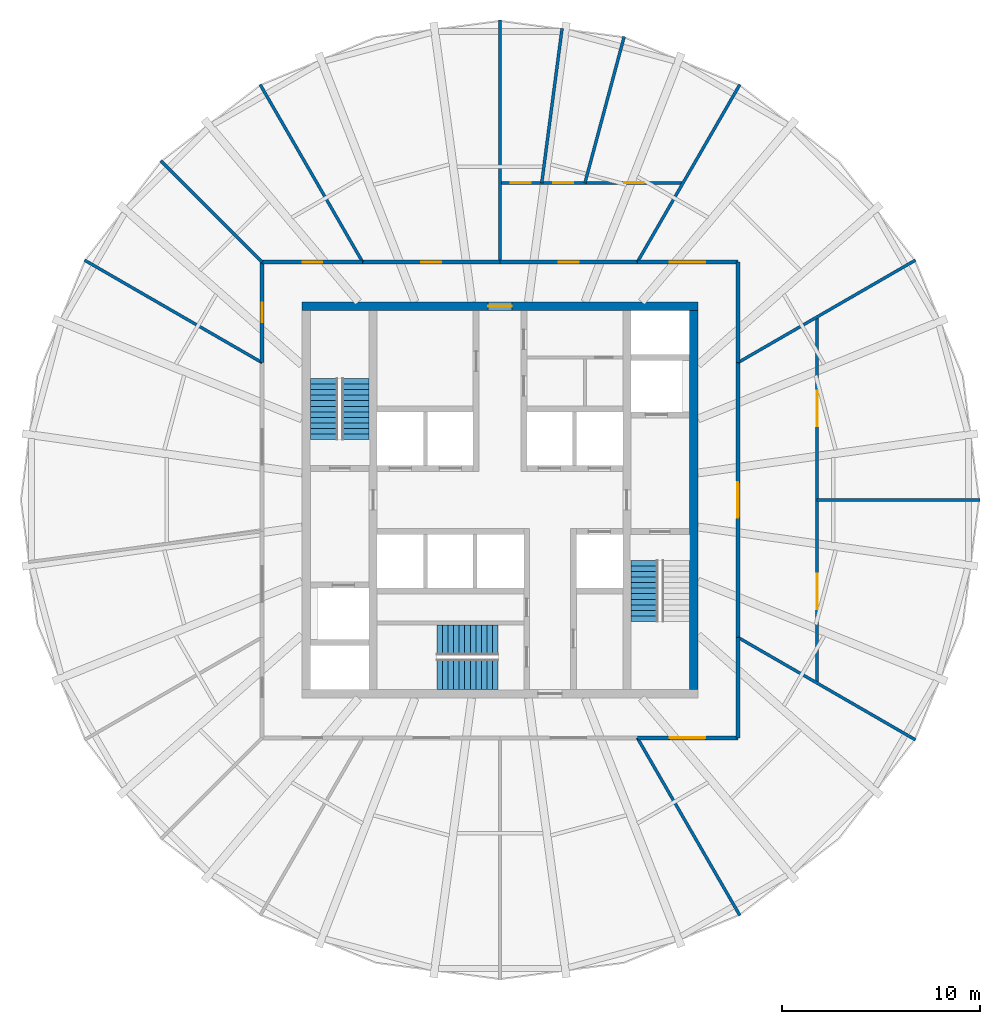
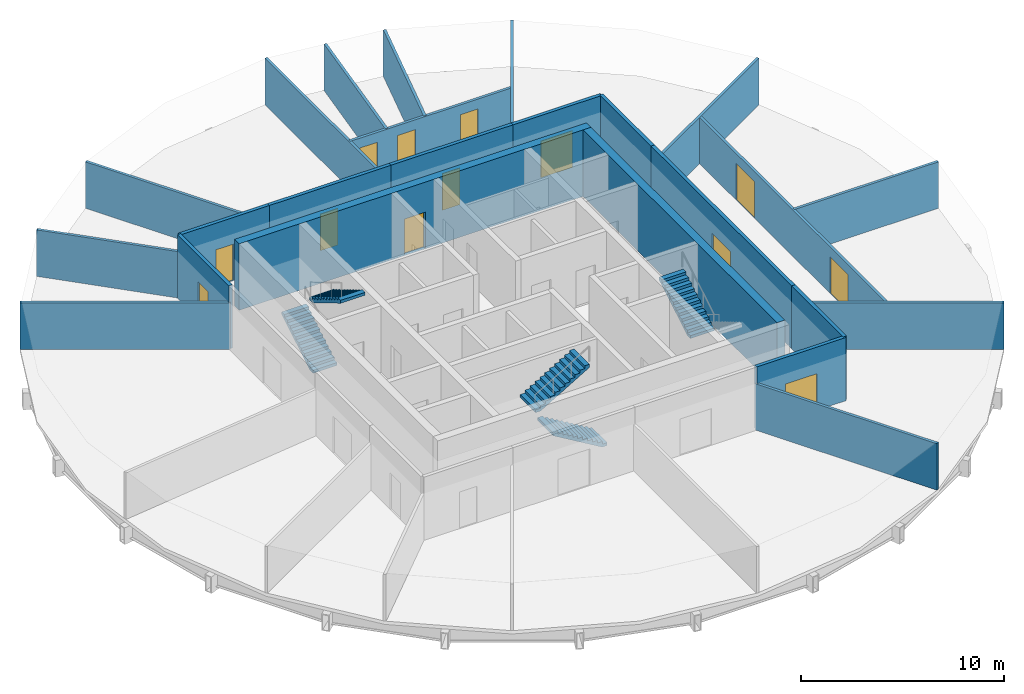
# One storey, part 4 of 6: 24 walls, 13 doors, 5 stair flights, 13 openings, 3 elements without a shape of their own.
"""IFC4 building model written with IfcOpenShell, lengths in metres."""

from ifc_helpers import new_model, si_unit, direction, frame, frame_2d, origin, place, context, subcontext, project, spatial, polyline, rectangle, outline, extrude, material, layer, layer_set, type_object, element, fill, aggregate, save


model = new_model("IFC4")

# Units and contexts
model_context = context("Model", 3, precision=1e-05, world=origin(), true_north=direction((0.0, 1.0)))
body_context = subcontext(model_context, "Body", "Model", "MODEL_VIEW")
ifc_project = project(units=[si_unit("LENGTHUNIT", "METRE"), si_unit("AREAUNIT", "SQUARE_METRE"), si_unit("VOLUMEUNIT", "CUBIC_METRE"), si_unit("PLANEANGLEUNIT", "RADIAN"), si_unit("MASSUNIT", "GRAM", prefix="KILO")], contexts=[model_context])

# Site, building, storey
site_placement = place(None, origin())
site = spatial("IfcSite", under=ifc_project, at=site_placement, CompositionType="ELEMENT")
building_placement = place(site_placement, origin())
building = spatial("IfcBuilding", under=site, at=building_placement, Name="Golbaran Civic Tower", CompositionType="ELEMENT")
storey_placement = place(building_placement, frame((0.0, 0.0, 159.0)))
storey = spatial("IfcBuildingStorey", under=building, at=storey_placement, Name="L38", CompositionType="ELEMENT", Elevation=159.0)

# Wall, opening, door
ifc_material_1 = material(Name="Concrete C50/60", Category="concrete")
ifc_layer_1 = layer(ifc_material_1, 0.449951171875, Name="Concrete C50/60")
ifc_layer_set_1 = layer_set([ifc_layer_1], Name="Concrete C50/60")
wall_type_1 = type_object("IfcWallType", Name="CORE WALL CONCRETE 450", PredefinedType="SOLIDWALL", material=ifc_layer_set_1)
wall_1_placement = place(storey_placement, frame((-10.0, 9.77490234375, 0.0), z_axis=(0.0, 0.0, 1.0), x_axis=(1.0, 0.0, 0.0)))
wall_1 = element("IfcWall", 1, at=wall_1_placement, inside=storey, type_object=wall_type_1, Name="Core wall CN L38", PredefinedType="SOLIDWALL", context=body_context, shape_type="SweptSolid", body=[
    extrude(rectangle(XDim=20.0, YDim=0.449951171875, at=frame_2d((10.0, 0.0))), origin(), (0.0, 0.0, 1.0), 4.0),
])
opening_1_placement = place(wall_1_placement, frame((9.39990234375, 0.0, 0.0)))
opening_1 = element("IfcOpeningElement", 2, at=opening_1_placement, cuts=wall_1, Name="Opening L38.CN", PredefinedType="OPENING", context=body_context, shape_type="SweptSolid", body=[
    extrude(rectangle(XDim=1.199951171875, YDim=2.199951171875, at=frame_2d((0.60009765625, 1.10009765625))), frame((0.0, 0.23486328125, 0.0), z_axis=(0.0, -1.0, 0.0), x_axis=(1.0, 0.0, 0.0)), (0.0, 0.0, 1.0), 0.469970703125),
])
ifc_material_2 = material(Name="Timber door set in steel frame", Category="steel")
door_type_1 = type_object("IfcDoorType", Name="CORE DOOR 1200x2200", OperationType="DOUBLE_DOOR_SINGLE_SWING", PredefinedType="DOOR", material=ifc_material_2)
door_1_placement = place(opening_1_placement, origin())
door_1 = element("IfcDoor", 3, at=door_1_placement, inside=storey, type_object=door_type_1, Name="Core door north", OperationType="DOUBLE_DOOR_SINGLE_SWING", OverallHeight=2.199951171875, OverallWidth=1.199951171875, PredefinedType="DOOR", context=body_context, shape_type="SweptSolid", body=[
    extrude(rectangle(XDim=1.199951171875, YDim=2.199951171875, at=frame_2d((0.60009765625, 1.10009765625))), frame((0.0, 0.02490234375, 0.0), z_axis=(0.0, -1.0, 0.0), x_axis=(1.0, 0.0, 0.0)), (0.0, 0.0, 1.0), 0.050048828125),
])
fill(opening_1, door_1)

# Wall
wall_2_placement = place(storey_placement, frame((9.77490234375, -9.550048828125, 0.0), z_axis=(0.0, 0.0, 1.0), x_axis=(0.0, 1.0, 0.0)))
element("IfcWall", 4, at=wall_2_placement, inside=storey, type_object=wall_type_1, Name="Core wall CE L38", PredefinedType="SOLIDWALL", context=body_context, shape_type="SweptSolid", body=[
    extrude(rectangle(XDim=19.10009765625, YDim=0.449951171875, at=frame_2d((9.550048828125, 0.0))), origin(), (0.0, 0.0, 1.0), 4.0),
])

# Wall, opening, door
ifc_material_3 = material(Name="Gypsum board on steel studs, fire-rated", Category="steel")
ifc_layer_2 = layer(ifc_material_3, 0.199951171875, Name="Gypsum board on steel studs, fire-rated")
ifc_layer_set_2 = layer_set([ifc_layer_2], Name="Gypsum board on steel studs, fire-rated")
wall_type_2 = type_object("IfcWallType", Name="CORRIDOR WALL 200", PredefinedType="PARTITIONING", material=ifc_layer_set_2)
wall_3_placement = place(storey_placement, frame((12.0, -6.92822265625, 0.0), z_axis=(0.0, 0.0, 1.0), x_axis=(0.0, 1.0, 0.0)))
wall_3 = element("IfcWall", 5, at=wall_3_placement, inside=storey, type_object=wall_type_2, Name="Corridor wall L38", PredefinedType="PARTITIONING", context=body_context, shape_type="SweptSolid", body=[
    extrude(rectangle(XDim=13.8564453125, YDim=0.199951171875, at=frame_2d((6.92822265625, 0.0))), origin(), (0.0, 0.0, 1.0), 3.800048828125),
])
opening_2_placement = place(wall_3_placement, frame((6.0283203125, 0.0, 0.0)))
opening_2 = element("IfcOpeningElement", 6, at=opening_2_placement, cuts=wall_3, Name="Opening L38.06", PredefinedType="OPENING", context=body_context, shape_type="SweptSolid", body=[
    extrude(rectangle(XDim=1.800048828125, YDim=2.199951171875, at=frame_2d((0.89990234375, 1.10009765625))), frame((0.0, 0.10986328125, 0.0), z_axis=(0.0, -1.0, 0.0), x_axis=(1.0, 0.0, 0.0)), (0.0, 0.0, 1.0), 0.219970703125),
])
door_type_2 = type_object("IfcDoorType", Name="OFFICE DOUBLE DOOR 1800x2200", OperationType="DOUBLE_DOOR_SINGLE_SWING", PredefinedType="DOOR", material=ifc_material_2)
door_2_placement = place(opening_2_placement, origin())
door_2 = element("IfcDoor", 7, at=door_2_placement, inside=storey, type_object=door_type_2, Name="Open Office door L38", OperationType="DOUBLE_DOOR_SINGLE_SWING", OverallHeight=2.199951171875, OverallWidth=1.800048828125, PredefinedType="DOOR", context=body_context, shape_type="SweptSolid", body=[
    extrude(rectangle(XDim=1.800048828125, YDim=2.199951171875, at=frame_2d((0.89990234375, 1.10009765625))), frame((0.0, 0.02490234375, 0.0), z_axis=(0.0, -1.0, 0.0), x_axis=(1.0, 0.0, 0.0)), (0.0, 0.0, 1.0), 0.050048828125),
])
fill(opening_2, door_2)

# Wall
wall_4_placement = place(storey_placement, frame((12.0, 6.92822265625, 0.0), z_axis=(0.0, 0.0, 1.0), x_axis=(0.0, 1.0, 0.0)))
element("IfcWall", 8, at=wall_4_placement, inside=storey, type_object=wall_type_2, Name="Corridor wall L38", PredefinedType="PARTITIONING", context=body_context, shape_type="SweptSolid", body=[
    extrude(rectangle(XDim=5.07177734375, YDim=0.199951171875, at=frame_2d((2.535888671875, 0.0))), origin(), (0.0, 0.0, 1.0), 3.800048828125),
])

# Wall, opening, door
wall_5_placement = place(storey_placement, frame((12.0, 12.0, 0.0), z_axis=(0.0, 0.0, 1.0), x_axis=(-1.0, 0.0, 0.0)))
wall_5 = element("IfcWall", 9, at=wall_5_placement, inside=storey, type_object=wall_type_2, Name="Corridor wall L38", PredefinedType="PARTITIONING", context=body_context, shape_type="SweptSolid", body=[
    extrude(rectangle(XDim=5.07177734375, YDim=0.199951171875, at=frame_2d((2.535888671875, 0.0))), origin(), (0.0, 0.0, 1.0), 3.800048828125),
])
opening_3_placement = place(wall_5_placement, frame((1.635986328125, 0.0, 0.0)))
opening_3 = element("IfcOpeningElement", 10, at=opening_3_placement, cuts=wall_5, Name="Opening L38.07", PredefinedType="OPENING", context=body_context, shape_type="SweptSolid", body=[
    extrude(rectangle(XDim=1.800048828125, YDim=2.199951171875, at=frame_2d((0.89990234375, 1.10009765625))), frame((0.0, 0.10986328125, 0.0), z_axis=(0.0, -1.0, 0.0), x_axis=(1.0, 0.0, 0.0)), (0.0, 0.0, 1.0), 0.219970703125),
])
door_3_placement = place(opening_3_placement, origin())
door_3 = element("IfcDoor", 11, at=door_3_placement, inside=storey, type_object=door_type_2, Name="Open Office door L38", OperationType="DOUBLE_DOOR_SINGLE_SWING", OverallHeight=2.199951171875, OverallWidth=1.800048828125, PredefinedType="DOOR", context=body_context, shape_type="SweptSolid", body=[
    extrude(rectangle(XDim=1.800048828125, YDim=2.199951171875, at=frame_2d((0.89990234375, 1.10009765625))), frame((0.0, 0.02490234375, 0.0), z_axis=(0.0, -1.0, 0.0), x_axis=(1.0, 0.0, 0.0)), (0.0, 0.0, 1.0), 0.050048828125),
])
fill(opening_3, door_3)

wall_6_placement = place(storey_placement, frame((6.92822265625, 12.0, 0.0), z_axis=(0.0, 0.0, 1.0), x_axis=(-1.0, 0.0, 0.0)))
wall_6 = element("IfcWall", 12, at=wall_6_placement, inside=storey, type_object=wall_type_2, Name="Corridor wall L38", PredefinedType="PARTITIONING", context=body_context, shape_type="SweptSolid", body=[
    extrude(rectangle(XDim=6.92822265625, YDim=0.199951171875, at=frame_2d((3.464111328125, 0.0))), origin(), (0.0, 0.0, 1.0), 3.800048828125),
])
opening_4_placement = place(wall_6_placement, frame((2.964111328125, 0.0, 0.0)))
opening_4 = element("IfcOpeningElement", 13, at=opening_4_placement, cuts=wall_6, Name="Opening L38.08", PredefinedType="OPENING", context=body_context, shape_type="SweptSolid", body=[
    extrude(rectangle(XDim=1.0, YDim=2.199951171875, at=frame_2d((0.5, 1.10009765625))), frame((0.0, 0.10986328125, 0.0), z_axis=(0.0, -1.0, 0.0), x_axis=(1.0, 0.0, 0.0)), (0.0, 0.0, 1.0), 0.219970703125),
])
door_type_3 = type_object("IfcDoorType", Name="OFFICE DOOR 1000x2200", OperationType="SINGLE_SWING_LEFT", PredefinedType="DOOR", material=ifc_material_2)
door_4_placement = place(opening_4_placement, origin())
door_4 = element("IfcDoor", 14, at=door_4_placement, inside=storey, type_object=door_type_3, Name="Waiting Area door L38", OperationType="SINGLE_SWING_RIGHT", OverallHeight=2.199951171875, OverallWidth=1.0, PredefinedType="DOOR", context=body_context, shape_type="SweptSolid", body=[
    extrude(rectangle(XDim=1.0, YDim=2.199951171875, at=frame_2d((0.5, 1.10009765625))), frame((0.0, 0.02490234375, 0.0), z_axis=(0.0, -1.0, 0.0), x_axis=(1.0, 0.0, 0.0)), (0.0, 0.0, 1.0), 0.050048828125),
])
fill(opening_4, door_4)

wall_7_placement = place(storey_placement, frame((0.0, 12.0, 0.0), z_axis=(0.0, 0.0, 1.0), x_axis=(-1.0, 0.0, 0.0)))
wall_7 = element("IfcWall", 15, at=wall_7_placement, inside=storey, type_object=wall_type_2, Name="Corridor wall L38", PredefinedType="PARTITIONING", context=body_context, shape_type="SweptSolid", body=[
    extrude(rectangle(XDim=6.92822265625, YDim=0.199951171875, at=frame_2d((3.464111328125, 0.0))), origin(), (0.0, 0.0, 1.0), 3.800048828125),
])
opening_5_placement = place(wall_7_placement, frame((2.964111328125, 0.0, 0.0)))
opening_5 = element("IfcOpeningElement", 16, at=opening_5_placement, cuts=wall_7, Name="Opening L38.09", PredefinedType="OPENING", context=body_context, shape_type="SweptSolid", body=[
    extrude(rectangle(XDim=1.0, YDim=2.199951171875, at=frame_2d((0.5, 1.10009765625))), frame((0.0, 0.10986328125, 0.0), z_axis=(0.0, -1.0, 0.0), x_axis=(1.0, 0.0, 0.0)), (0.0, 0.0, 1.0), 0.219970703125),
])
door_5_placement = place(opening_5_placement, origin())
door_5 = element("IfcDoor", 17, at=door_5_placement, inside=storey, type_object=door_type_3, Name="Project Room door L38", OperationType="SINGLE_SWING_RIGHT", OverallHeight=2.199951171875, OverallWidth=1.0, PredefinedType="DOOR", context=body_context, shape_type="SweptSolid", body=[
    extrude(rectangle(XDim=1.0, YDim=2.199951171875, at=frame_2d((0.5, 1.10009765625))), frame((0.0, 0.02490234375, 0.0), z_axis=(0.0, -1.0, 0.0), x_axis=(1.0, 0.0, 0.0)), (0.0, 0.0, 1.0), 0.050048828125),
])
fill(opening_5, door_5)

wall_8_placement = place(storey_placement, frame((-6.92822265625, 12.0, 0.0), z_axis=(0.0, 0.0, 1.0), x_axis=(-1.0, 0.0, 0.0)))
wall_8 = element("IfcWall", 18, at=wall_8_placement, inside=storey, type_object=wall_type_2, Name="Corridor wall L38", PredefinedType="PARTITIONING", context=body_context, shape_type="SweptSolid", body=[
    extrude(rectangle(XDim=5.07177734375, YDim=0.199951171875, at=frame_2d((2.535888671875, 0.0))), origin(), (0.0, 0.0, 1.0), 3.800048828125),
])
opening_6_placement = place(wall_8_placement, frame((2.035888671875, 0.0, 0.0)))
opening_6 = element("IfcOpeningElement", 19, at=opening_6_placement, cuts=wall_8, Name="Opening L38.10", PredefinedType="OPENING", context=body_context, shape_type="SweptSolid", body=[
    extrude(rectangle(XDim=1.0, YDim=2.199951171875, at=frame_2d((0.5, 1.10009765625))), frame((0.0, 0.10986328125, 0.0), z_axis=(0.0, -1.0, 0.0), x_axis=(1.0, 0.0, 0.0)), (0.0, 0.0, 1.0), 0.219970703125),
])
door_6_placement = place(opening_6_placement, origin())
door_6 = element("IfcDoor", 20, at=door_6_placement, inside=storey, type_object=door_type_3, Name="Interview Room door L38", OperationType="SINGLE_SWING_RIGHT", OverallHeight=2.199951171875, OverallWidth=1.0, PredefinedType="DOOR", context=body_context, shape_type="SweptSolid", body=[
    extrude(rectangle(XDim=1.0, YDim=2.199951171875, at=frame_2d((0.5, 1.10009765625))), frame((0.0, 0.02490234375, 0.0), z_axis=(0.0, -1.0, 0.0), x_axis=(1.0, 0.0, 0.0)), (0.0, 0.0, 1.0), 0.050048828125),
])
fill(opening_6, door_6)

wall_9_placement = place(storey_placement, frame((-12.0, 12.0, 0.0), z_axis=(0.0, 0.0, 1.0), x_axis=(0.0, -1.0, 0.0)))
wall_9 = element("IfcWall", 21, at=wall_9_placement, inside=storey, type_object=wall_type_2, Name="Corridor wall L38", PredefinedType="PARTITIONING", context=body_context, shape_type="SweptSolid", body=[
    extrude(rectangle(XDim=5.07177734375, YDim=0.199951171875, at=frame_2d((2.535888671875, 0.0))), origin(), (0.0, 0.0, 1.0), 3.800048828125),
])
opening_7_placement = place(wall_9_placement, frame((2.035888671875, 0.0, 0.0)))
opening_7 = element("IfcOpeningElement", 22, at=opening_7_placement, cuts=wall_9, Name="Opening L38.11", PredefinedType="OPENING", context=body_context, shape_type="SweptSolid", body=[
    extrude(rectangle(XDim=1.0, YDim=2.199951171875, at=frame_2d((0.5, 1.10009765625))), frame((0.0, 0.10986328125, 0.0), z_axis=(0.0, -1.0, 0.0), x_axis=(1.0, 0.0, 0.0)), (0.0, 0.0, 1.0), 0.219970703125),
])
door_7_placement = place(opening_7_placement, origin())
door_7 = element("IfcDoor", 23, at=door_7_placement, inside=storey, type_object=door_type_3, Name="Print and Copy Room door L38", OperationType="SINGLE_SWING_RIGHT", OverallHeight=2.199951171875, OverallWidth=1.0, PredefinedType="DOOR", context=body_context, shape_type="SweptSolid", body=[
    extrude(rectangle(XDim=1.0, YDim=2.199951171875, at=frame_2d((0.5, 1.10009765625))), frame((0.0, 0.02490234375, 0.0), z_axis=(0.0, -1.0, 0.0), x_axis=(1.0, 0.0, 0.0)), (0.0, 0.0, 1.0), 0.050048828125),
])
fill(opening_7, door_7)

wall_10_placement = place(storey_placement, frame((6.92822265625, -12.0, 0.0), z_axis=(0.0, 0.0, 1.0), x_axis=(1.0, 0.0, 0.0)))
wall_10 = element("IfcWall", 24, at=wall_10_placement, inside=storey, type_object=wall_type_2, Name="Corridor wall L38", PredefinedType="PARTITIONING", context=body_context, shape_type="SweptSolid", body=[
    extrude(rectangle(XDim=5.07177734375, YDim=0.199951171875, at=frame_2d((2.535888671875, 0.0))), origin(), (0.0, 0.0, 1.0), 3.800048828125),
])
opening_8_placement = place(wall_10_placement, frame((1.635986328125, 0.0, 0.0)))
opening_8 = element("IfcOpeningElement", 25, at=opening_8_placement, cuts=wall_10, Name="Opening L38.18", PredefinedType="OPENING", context=body_context, shape_type="SweptSolid", body=[
    extrude(rectangle(XDim=1.800048828125, YDim=2.199951171875, at=frame_2d((0.89990234375, 1.10009765625))), frame((0.0, 0.10986328125, 0.0), z_axis=(0.0, -1.0, 0.0), x_axis=(1.0, 0.0, 0.0)), (0.0, 0.0, 1.0), 0.219970703125),
])
door_8_placement = place(opening_8_placement, origin())
door_8 = element("IfcDoor", 26, at=door_8_placement, inside=storey, type_object=door_type_2, Name="Open Office door L38", OperationType="DOUBLE_DOOR_SINGLE_SWING", OverallHeight=2.199951171875, OverallWidth=1.800048828125, PredefinedType="DOOR", context=body_context, shape_type="SweptSolid", body=[
    extrude(rectangle(XDim=1.800048828125, YDim=2.199951171875, at=frame_2d((0.89990234375, 1.10009765625))), frame((0.0, 0.02490234375, 0.0), z_axis=(0.0, -1.0, 0.0), x_axis=(1.0, 0.0, 0.0)), (0.0, 0.0, 1.0), 0.050048828125),
])
fill(opening_8, door_8)

# Walls
wall_11_placement = place(storey_placement, frame((12.0, -12.0, 0.0), z_axis=(0.0, 0.0, 1.0), x_axis=(0.0, 1.0, 0.0)))
element("IfcWall", 27, at=wall_11_placement, inside=storey, type_object=wall_type_2, Name="Corridor wall L38", PredefinedType="PARTITIONING", context=body_context, shape_type="SweptSolid", body=[
    extrude(rectangle(XDim=5.07177734375, YDim=0.199951171875, at=frame_2d((2.535888671875, 0.0))), origin(), (0.0, 0.0, 1.0), 3.800048828125),
])
ifc_material_4 = material(Name="Gypsum board on steel studs", Category="steel")
ifc_layer_3 = layer(ifc_material_4, 0.14990234375, Name="Gypsum board on steel studs")
ifc_layer_set_3 = layer_set([ifc_layer_3], Name="Gypsum board on steel studs")
wall_type_3 = type_object("IfcWallType", Name="OFFICE PARTITION 150", PredefinedType="PARTITIONING", material=ifc_layer_set_3)
for number, where, z_axis, x_axis, name in (
    (28, (12.0, -6.92822265625, 0.0), (0.0, 0.0, 1.0), (0.86602185845, -0.500006140648, 0.0), "Partition 330 L38"),
    (29, (12.0, 6.92822265625, 0.0), (0.0, 0.0, 1.0), (0.86602185845, 0.500006140648, 0.0), "Partition 30 L38"),
    (30, (6.92822265625, 12.0, 0.0), (0.0, 0.0, 1.0), (0.500006140648, 0.86602185845, 0.0), "Partition 60 L38"),
):
    element("IfcWall", number, at=place(storey_placement, frame(where, z_axis=z_axis, x_axis=x_axis)), inside=storey, type_object=wall_type_3, Name=name, PredefinedType="PARTITIONING", context=body_context, shape_type="SweptSolid", body=[
        extrude(rectangle(XDim=10.354736328125, YDim=0.14990234375, at=frame_2d((5.17724609375, 0.0))), origin(), (0.0, 0.0, 1.0), 2.7900390625),
    ])
wall_12_placement = place(storey_placement, frame((0.0, 12.0, 0.0), z_axis=(0.0, 0.0, 1.0), x_axis=(0.0, 1.0, 0.0)))
element("IfcWall", 31, at=wall_12_placement, inside=storey, type_object=wall_type_3, Name="Partition 90 L38", PredefinedType="PARTITIONING", context=body_context, shape_type="SweptSolid", body=[
    extrude(rectangle(XDim=12.211181640625, YDim=0.14990234375, at=frame_2d((6.10546875, 0.0))), origin(), (0.0, 0.0, 1.0), 2.7900390625),
])
wall_13_placement = place(storey_placement, frame((-6.92822265625, 12.0, 0.0), z_axis=(0.0, 0.0, 1.0), x_axis=(-0.500006140648, 0.86602185845, 0.0)))
element("IfcWall", 32, at=wall_13_placement, inside=storey, type_object=wall_type_3, Name="Partition 120 L38", PredefinedType="PARTITIONING", context=body_context, shape_type="SweptSolid", body=[
    extrude(rectangle(XDim=10.354736328125, YDim=0.14990234375, at=frame_2d((5.17724609375, 0.0))), origin(), (0.0, 0.0, 1.0), 2.7900390625),
])
wall_14_placement = place(storey_placement, frame((-12.0, 12.0, 0.0), z_axis=(0.0, 0.0, 1.0), x_axis=(-0.707106781187, 0.707106781187, 0.0)))
element("IfcWall", 33, at=wall_14_placement, inside=storey, type_object=wall_type_3, Name="Partition 135 L38", PredefinedType="PARTITIONING", context=body_context, shape_type="SweptSolid", body=[
    extrude(rectangle(XDim=7.240478515625, YDim=0.14990234375, at=frame_2d((3.6201171875, 0.0))), origin(), (0.0, 0.0, 1.0), 2.7900390625),
])
for number, where, z_axis, x_axis, name in (
    (34, (-12.0, 6.92822265625, 0.0), (0.0, 0.0, 1.0), (-0.86602185845, 0.500006140648, 0.0), "Partition 150 L38"),
    (35, (6.92822265625, -12.0, 0.0), (0.0, 0.0, 1.0), (0.500006140648, -0.86602185845, 0.0), "Partition 300 L38"),
):
    element("IfcWall", number, at=place(storey_placement, frame(where, z_axis=z_axis, x_axis=x_axis)), inside=storey, type_object=wall_type_3, Name=name, PredefinedType="PARTITIONING", context=body_context, shape_type="SweptSolid", body=[
        extrude(rectangle(XDim=10.354736328125, YDim=0.14990234375, at=frame_2d((5.17724609375, 0.0))), origin(), (0.0, 0.0, 1.0), 2.7900390625),
    ])

# Wall, openings, doors
wall_15_placement = place(storey_placement, frame((16.0, -9.237548828125, 0.0), z_axis=(0.0, 0.0, 1.0), x_axis=(0.0, 1.0, 0.0)))
wall_15 = element("IfcWall", 36, at=wall_15_placement, inside=storey, type_object=wall_type_3, Name="Suite partition L38", PredefinedType="PARTITIONING", context=body_context, shape_type="SweptSolid", body=[
    extrude(rectangle(XDim=18.47509765625, YDim=0.14990234375, at=frame_2d((9.237548828125, 0.0))), origin(), (0.0, 0.0, 1.0), 2.7900390625),
])
opening_9_placement = place(wall_15_placement, frame((3.71875, 0.0, 0.0)))
opening_9 = element("IfcOpeningElement", 37, at=opening_9_placement, cuts=wall_15, Name="Opening L38.01", PredefinedType="OPENING", context=body_context, shape_type="SweptSolid", body=[
    extrude(rectangle(XDim=1.800048828125, YDim=2.199951171875, at=frame_2d((0.89990234375, 1.10009765625))), frame((0.0, 0.0849609375, 0.0), z_axis=(0.0, -1.0, 0.0), x_axis=(1.0, 0.0, 0.0)), (0.0, 0.0, 1.0), 0.169921875),
])
opening_10_placement = place(wall_15_placement, frame((12.956298828125, 0.0, 0.0)))
opening_10 = element("IfcOpeningElement", 38, at=opening_10_placement, cuts=wall_15, Name="Opening L38.02", PredefinedType="OPENING", context=body_context, shape_type="SweptSolid", body=[
    extrude(rectangle(XDim=1.800048828125, YDim=2.199951171875, at=frame_2d((0.89990234375, 1.10009765625))), frame((0.0, 0.0849609375, 0.0), z_axis=(0.0, -1.0, 0.0), x_axis=(1.0, 0.0, 0.0)), (0.0, 0.0, 1.0), 0.169921875),
])
door_9_placement = place(opening_9_placement, origin())
door_9 = element("IfcDoor", 39, at=door_9_placement, inside=storey, type_object=door_type_2, Name="Project Room door L38", OperationType="DOUBLE_DOOR_SINGLE_SWING", OverallHeight=2.199951171875, OverallWidth=1.800048828125, PredefinedType="DOOR", context=body_context, shape_type="SweptSolid", body=[
    extrude(rectangle(XDim=1.800048828125, YDim=2.199951171875, at=frame_2d((0.89990234375, 1.10009765625))), frame((0.0, 0.02490234375, 0.0), z_axis=(0.0, -1.0, 0.0), x_axis=(1.0, 0.0, 0.0)), (0.0, 0.0, 1.0), 0.050048828125),
])
fill(opening_9, door_9)
door_10_placement = place(opening_10_placement, origin())
door_10 = element("IfcDoor", 40, at=door_10_placement, inside=storey, type_object=door_type_2, Name="Meeting Room door L38", OperationType="DOUBLE_DOOR_SINGLE_SWING", OverallHeight=2.199951171875, OverallWidth=1.800048828125, PredefinedType="DOOR", context=body_context, shape_type="SweptSolid", body=[
    extrude(rectangle(XDim=1.800048828125, YDim=2.199951171875, at=frame_2d((0.89990234375, 1.10009765625))), frame((0.0, 0.02490234375, 0.0), z_axis=(0.0, -1.0, 0.0), x_axis=(1.0, 0.0, 0.0)), (0.0, 0.0, 1.0), 0.050048828125),
])
fill(opening_10, door_10)

# Wall
wall_16_placement = place(storey_placement, frame((16.0, 0.0, 0.0), z_axis=(0.0, 0.0, 1.0), x_axis=(1.0, 0.0, 0.0)))
element("IfcWall", 41, at=wall_16_placement, inside=storey, type_object=wall_type_3, Name="Partition 0 L38", PredefinedType="PARTITIONING", context=body_context, shape_type="SweptSolid", body=[
    extrude(rectangle(XDim=8.211181640625, YDim=0.14990234375, at=frame_2d((4.10546875, 0.0))), origin(), (0.0, 0.0, 1.0), 2.7900390625),
])

# Wall, openings, doors
wall_17_placement = place(storey_placement, frame((9.237548828125, 16.0, 0.0), z_axis=(0.0, 0.0, 1.0), x_axis=(-1.0, 0.0, 0.0)))
wall_17 = element("IfcWall", 42, at=wall_17_placement, inside=storey, type_object=wall_type_3, Name="Suite partition L38", PredefinedType="PARTITIONING", context=body_context, shape_type="SweptSolid", body=[
    extrude(rectangle(XDim=9.237548828125, YDim=0.14990234375, at=frame_2d((4.61865234375, 0.0))), origin(), (0.0, 0.0, 1.0), 2.7900390625),
])
opening_11_placement = place(wall_17_placement, frame((1.97509765625, 0.0, 0.0)))
opening_11 = element("IfcOpeningElement", 43, at=opening_11_placement, cuts=wall_17, Name="Opening L38.03", PredefinedType="OPENING", context=body_context, shape_type="SweptSolid", body=[
    extrude(rectangle(XDim=1.0, YDim=2.199951171875, at=frame_2d((0.5, 1.10009765625))), frame((0.0, 0.0849609375, 0.0), z_axis=(0.0, -1.0, 0.0), x_axis=(1.0, 0.0, 0.0)), (0.0, 0.0, 1.0), 0.169921875),
])
opening_12_placement = place(wall_17_placement, frame((5.540771484375, 0.0, 0.0)))
opening_12 = element("IfcOpeningElement", 44, at=opening_12_placement, cuts=wall_17, Name="Opening L38.04", PredefinedType="OPENING", context=body_context, shape_type="SweptSolid", body=[
    extrude(rectangle(XDim=1.0, YDim=2.199951171875, at=frame_2d((0.5, 1.10009765625))), frame((0.0, 0.0849609375, 0.0), z_axis=(0.0, -1.0, 0.0), x_axis=(1.0, 0.0, 0.0)), (0.0, 0.0, 1.0), 0.169921875),
])
opening_13_placement = place(wall_17_placement, frame((7.684326171875, 0.0, 0.0)))
opening_13 = element("IfcOpeningElement", 45, at=opening_13_placement, cuts=wall_17, Name="Opening L38.05", PredefinedType="OPENING", context=body_context, shape_type="SweptSolid", body=[
    extrude(rectangle(XDim=1.0, YDim=2.199951171875, at=frame_2d((0.5, 1.10009765625))), frame((0.0, 0.0849609375, 0.0), z_axis=(0.0, -1.0, 0.0), x_axis=(1.0, 0.0, 0.0)), (0.0, 0.0, 1.0), 0.169921875),
])
door_11_placement = place(opening_11_placement, origin())
door_11 = element("IfcDoor", 46, at=door_11_placement, inside=storey, type_object=door_type_3, Name="Director's Office door L38", OperationType="SINGLE_SWING_LEFT", OverallHeight=2.199951171875, OverallWidth=1.0, PredefinedType="DOOR", context=body_context, shape_type="SweptSolid", body=[
    extrude(rectangle(XDim=1.0, YDim=2.199951171875, at=frame_2d((0.5, 1.10009765625))), frame((0.0, 0.02490234375, 0.0), z_axis=(0.0, -1.0, 0.0), x_axis=(1.0, 0.0, 0.0)), (0.0, 0.0, 1.0), 0.050048828125),
])
fill(opening_11, door_11)
door_12_placement = place(opening_12_placement, origin())
door_12 = element("IfcDoor", 47, at=door_12_placement, inside=storey, type_object=door_type_3, Name="Office door L38", OperationType="SINGLE_SWING_RIGHT", OverallHeight=2.199951171875, OverallWidth=1.0, PredefinedType="DOOR", context=body_context, shape_type="SweptSolid", body=[
    extrude(rectangle(XDim=1.0, YDim=2.199951171875, at=frame_2d((0.5, 1.10009765625))), frame((0.0, 0.02490234375, 0.0), z_axis=(0.0, -1.0, 0.0), x_axis=(1.0, 0.0, 0.0)), (0.0, 0.0, 1.0), 0.050048828125),
])
fill(opening_12, door_12)
door_13_placement = place(opening_13_placement, origin())
door_13 = element("IfcDoor", 48, at=door_13_placement, inside=storey, type_object=door_type_3, Name="Office door L38", OperationType="SINGLE_SWING_RIGHT", OverallHeight=2.199951171875, OverallWidth=1.0, PredefinedType="DOOR", context=body_context, shape_type="SweptSolid", body=[
    extrude(rectangle(XDim=1.0, YDim=2.199951171875, at=frame_2d((0.5, 1.10009765625))), frame((0.0, 0.02490234375, 0.0), z_axis=(0.0, -1.0, 0.0), x_axis=(1.0, 0.0, 0.0)), (0.0, 0.0, 1.0), 0.050048828125),
])
fill(opening_13, door_13)

# Walls
wall_18_placement = place(storey_placement, frame((4.287109375, 16.0, 0.0), z_axis=(0.0, 0.0, 1.0), x_axis=(0.25883290061, 0.965922113611, 0.0)))
element("IfcWall", 49, at=wall_18_placement, inside=storey, type_object=wall_type_3, Name="Partition 75 L38", PredefinedType="PARTITIONING", context=body_context, shape_type="SweptSolid", body=[
    extrude(rectangle(XDim=7.646728515625, YDim=0.14990234375, at=frame_2d((3.8232421875, 0.0))), origin(), (0.0, 0.0, 1.0), 2.7900390625),
])
wall_19_placement = place(storey_placement, frame((2.1064453125, 16.0, 0.0), z_axis=(0.0, 0.0, 1.0), x_axis=(0.130510712839, 0.99144689915, 0.0)))
element("IfcWall", 50, at=wall_19_placement, inside=storey, type_object=wall_type_3, Name="Partition 82.5 L38", PredefinedType="PARTITIONING", context=body_context, shape_type="SweptSolid", body=[
    extrude(rectangle(XDim=7.8662109375, YDim=0.14990234375, at=frame_2d((3.93310546875, 0.0))), origin(), (0.0, 0.0, 1.0), 2.7900390625),
])

# Stair, stair flights
ifc_material_5 = material(Name="Concrete C35/45", Category="concrete")
stair_type_1 = type_object("IfcStairType", Name="EXIT STAIR 2950 x 7800, 4000 RISE", PredefinedType="HALF_TURN_STAIR", material=ifc_material_5)
stair_1_placement = place(storey_placement, origin())
stair_1 = element("IfcStair", 51, at=stair_1_placement, inside=storey, type_object=stair_type_1, Name="Stair S1 L38", PredefinedType="HALF_TURN_STAIR")
stair_flight_type_1 = type_object("IfcStairFlightType", Name="STAIR FLIGHT 1375 WIDE", PredefinedType="STRAIGHT", material=ifc_material_5)
stair_flight_1_placement = place(storey_placement, frame((-8.862548828125, 3.050048828125, 0.0), z_axis=(0.0, 0.0, 1.0), x_axis=(0.0, 1.0, 0.0)))
stair_flight_1 = element("IfcStairFlight", 52, at=stair_flight_1_placement, type_object=stair_flight_type_1, Name="ST29578-40 flight 1", NumberOfRisers=12, NumberOfTreads=11, PredefinedType="STRAIGHT", RiserHeight=0.166666667, TreadLength=0.28, context=body_context, shape_type="SweptSolid", body=[
    extrude(outline(polyline([(0.0, 0.0), (0.0, 0.166748046875), (0.280029296875, 0.166748046875), (0.280029296875, 0.333251953125), (0.56005859375, 0.333251953125), (0.56005859375, 0.5), (0.840087890625, 0.5), (0.840087890625, 0.666748046875), (1.1201171875, 0.666748046875), (1.1201171875, 0.833251953125), (1.39990234375, 0.833251953125), (1.39990234375, 1.0), (1.679931640625, 1.0), (1.679931640625, 1.166748046875), (1.9599609375, 1.166748046875), (1.9599609375, 1.333251953125), (2.239990234375, 1.333251953125), (2.239990234375, 1.5), (2.52001953125, 1.5), (2.52001953125, 1.666748046875), (2.800048828125, 1.666748046875), (2.800048828125, 1.833251953125), (3.080078125, 1.833251953125), (3.080078125, 2.0), (3.080078125, 1.658935546875), (0.29296875, 0.0), (0.0, 0.0)])), frame((0.0, 0.6875, 0.0), z_axis=(0.0, -1.0, 0.0), x_axis=(1.0, 0.0, 0.0)), (0.0, 0.0, 1.0), 1.375),
])
stair_flight_2_placement = place(storey_placement, frame((-7.28759765625, 6.1298828125, 2.0), z_axis=(0.0, 0.0, 1.0), x_axis=(0.0, -1.0, 0.0)))
stair_flight_2 = element("IfcStairFlight", 53, at=stair_flight_2_placement, type_object=stair_flight_type_1, Name="ST29578-40 flight 2", NumberOfRisers=12, NumberOfTreads=11, PredefinedType="STRAIGHT", RiserHeight=0.166666667, TreadLength=0.28, context=body_context, shape_type="SweptSolid", body=[
    extrude(outline(polyline([(0.0, 0.0), (0.0, 0.166748046875), (0.280029296875, 0.166748046875), (0.280029296875, 0.333251953125), (0.56005859375, 0.333251953125), (0.56005859375, 0.5), (0.840087890625, 0.5), (0.840087890625, 0.666748046875), (1.1201171875, 0.666748046875), (1.1201171875, 0.833251953125), (1.39990234375, 0.833251953125), (1.39990234375, 1.0), (1.679931640625, 1.0), (1.679931640625, 1.166748046875), (1.9599609375, 1.166748046875), (1.9599609375, 1.333251953125), (2.239990234375, 1.333251953125), (2.239990234375, 1.5), (2.52001953125, 1.5), (2.52001953125, 1.666748046875), (2.800048828125, 1.666748046875), (2.800048828125, 1.833251953125), (3.080078125, 1.833251953125), (3.080078125, 2.0), (3.080078125, 1.658935546875), (0.29296875, 0.0), (0.0, 0.0)])), frame((0.0, 0.6875, 0.0), z_axis=(0.0, -1.0, 0.0), x_axis=(1.0, 0.0, 0.0)), (0.0, 0.0, 1.0), 1.375),
])
aggregate(stair_1, [stair_flight_1, stair_flight_2])

# Stair, stair flight
stair_2_placement = place(storey_placement, origin())
stair_2 = element("IfcStair", 54, at=stair_2_placement, inside=storey, type_object=stair_type_1, Name="Stair S2 L38", PredefinedType="HALF_TURN_STAIR")
stair_flight_3_placement = place(storey_placement, frame((7.28759765625, -6.1298828125, 2.0), z_axis=(0.0, 0.0, 1.0), x_axis=(0.0, 1.0, 0.0)))
stair_flight_3 = element("IfcStairFlight", 55, at=stair_flight_3_placement, type_object=stair_flight_type_1, Name="ST29578-40 flight 2", NumberOfRisers=12, NumberOfTreads=11, PredefinedType="STRAIGHT", RiserHeight=0.166666667, TreadLength=0.28, context=body_context, shape_type="SweptSolid", body=[
    extrude(outline(polyline([(0.0, 0.0), (0.0, 0.166748046875), (0.280029296875, 0.166748046875), (0.280029296875, 0.333251953125), (0.56005859375, 0.333251953125), (0.56005859375, 0.5), (0.840087890625, 0.5), (0.840087890625, 0.666748046875), (1.1201171875, 0.666748046875), (1.1201171875, 0.833251953125), (1.39990234375, 0.833251953125), (1.39990234375, 1.0), (1.679931640625, 1.0), (1.679931640625, 1.166748046875), (1.9599609375, 1.166748046875), (1.9599609375, 1.333251953125), (2.239990234375, 1.333251953125), (2.239990234375, 1.5), (2.52001953125, 1.5), (2.52001953125, 1.666748046875), (2.800048828125, 1.666748046875), (2.800048828125, 1.833251953125), (3.080078125, 1.833251953125), (3.080078125, 2.0), (3.080078125, 1.658935546875), (0.29296875, 0.0), (0.0, 0.0)])), frame((0.0, 0.6875, 0.0), z_axis=(0.0, -1.0, 0.0), x_axis=(1.0, 0.0, 0.0)), (0.0, 0.0, 1.0), 1.375),
])
aggregate(stair_2, [stair_flight_3])

# Stair, stair flights
stair_type_2 = type_object("IfcStairType", Name="EXIT STAIR 3250 x 7400, 4000 RISE", PredefinedType="HALF_TURN_STAIR", material=ifc_material_5)
stair_3_placement = place(storey_placement, origin())
stair_3 = element("IfcStair", 56, at=stair_3_placement, inside=storey, type_object=stair_type_2, Name="Stair S3 L38", PredefinedType="HALF_TURN_STAIR")
stair_flight_type_2 = type_object("IfcStairFlightType", Name="STAIR FLIGHT 1525 WIDE", PredefinedType="STRAIGHT", material=ifc_material_5)
stair_flight_4_placement = place(storey_placement, frame((-0.10009765625, -8.78759765625, 0.0), z_axis=(0.0, 0.0, 1.0), x_axis=(-1.0, 0.0, 0.0)))
stair_flight_4 = element("IfcStairFlight", 57, at=stair_flight_4_placement, type_object=stair_flight_type_2, Name="ST32574-40 flight 1", NumberOfRisers=12, NumberOfTreads=11, PredefinedType="STRAIGHT", RiserHeight=0.166666667, TreadLength=0.28, context=body_context, shape_type="SweptSolid", body=[
    extrude(outline(polyline([(0.0, 0.0), (0.0, 0.166748046875), (0.280029296875, 0.166748046875), (0.280029296875, 0.333251953125), (0.56005859375, 0.333251953125), (0.56005859375, 0.5), (0.840087890625, 0.5), (0.840087890625, 0.666748046875), (1.1201171875, 0.666748046875), (1.1201171875, 0.833251953125), (1.39990234375, 0.833251953125), (1.39990234375, 1.0), (1.679931640625, 1.0), (1.679931640625, 1.166748046875), (1.9599609375, 1.166748046875), (1.9599609375, 1.333251953125), (2.239990234375, 1.333251953125), (2.239990234375, 1.5), (2.52001953125, 1.5), (2.52001953125, 1.666748046875), (2.800048828125, 1.666748046875), (2.800048828125, 1.833251953125), (3.080078125, 1.833251953125), (3.080078125, 2.0), (3.080078125, 1.658935546875), (0.29296875, 0.0), (0.0, 0.0)])), frame((0.0, 0.762451171875, 0.0), z_axis=(0.0, -1.0, 0.0), x_axis=(1.0, 0.0, 0.0)), (0.0, 0.0, 1.0), 1.52490234375),
])
stair_flight_5_placement = place(storey_placement, frame((-3.179931640625, -7.0625, 2.0), z_axis=(0.0, 0.0, 1.0), x_axis=(1.0, 0.0, 0.0)))
stair_flight_5 = element("IfcStairFlight", 58, at=stair_flight_5_placement, type_object=stair_flight_type_2, Name="ST32574-40 flight 2", NumberOfRisers=12, NumberOfTreads=11, PredefinedType="STRAIGHT", RiserHeight=0.166666667, TreadLength=0.28, context=body_context, shape_type="SweptSolid", body=[
    extrude(outline(polyline([(0.0, 0.0), (0.0, 0.166748046875), (0.280029296875, 0.166748046875), (0.280029296875, 0.333251953125), (0.56005859375, 0.333251953125), (0.56005859375, 0.5), (0.840087890625, 0.5), (0.840087890625, 0.666748046875), (1.1201171875, 0.666748046875), (1.1201171875, 0.833251953125), (1.39990234375, 0.833251953125), (1.39990234375, 1.0), (1.679931640625, 1.0), (1.679931640625, 1.166748046875), (1.9599609375, 1.166748046875), (1.9599609375, 1.333251953125), (2.239990234375, 1.333251953125), (2.239990234375, 1.5), (2.52001953125, 1.5), (2.52001953125, 1.666748046875), (2.800048828125, 1.666748046875), (2.800048828125, 1.833251953125), (3.080078125, 1.833251953125), (3.080078125, 2.0), (3.080078125, 1.658935546875), (0.29296875, 0.0), (0.0, 0.0)])), frame((0.0, 0.762451171875, 0.0), z_axis=(0.0, -1.0, 0.0), x_axis=(1.0, 0.0, 0.0)), (0.0, 0.0, 1.0), 1.52490234375),
])
aggregate(stair_3, [stair_flight_4, stair_flight_5])

save(model, "model.ifc")
